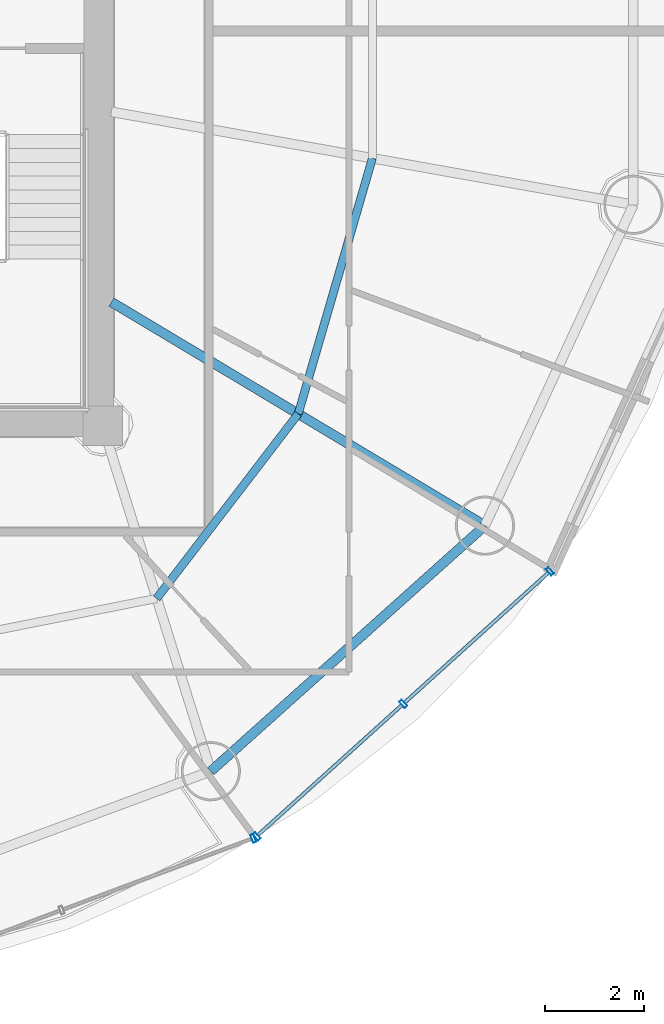
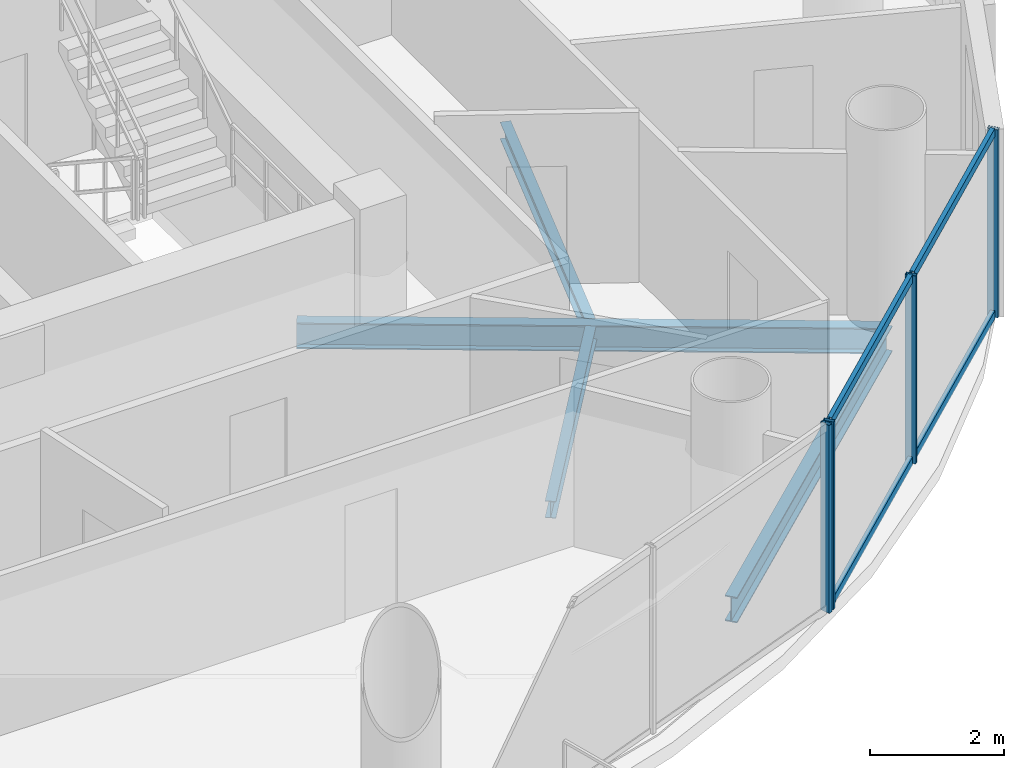
# One storey, part 10 of 26: 8 members, 4 beams, 2 elements without a shape of their own.
"""IFC4 building model written with IfcOpenShell, lengths in metres."""

import ifcopenshell
import ifcopenshell.guid

model = None  # the IFC model being written
_history = None  # IfcOwnerHistory: only IFC2X3 demands one
_inside = {}  # id of a spatial element -> (the spatial element, [elements in it])
_under = {}  # id of a project, library or spatial element -> (it, [spatial elements below it])
_declared = {}  # id of a project -> (the project, [libraries it declares])
_typed = {}  # id of a type object -> (the type object, [elements of that type])
_made_of = {}  # id of a material, layer set ... -> (it, [elements and type objects made of it])


def new_model(schema):
    """Start an empty IFC model of exactly this schema.

    Asked for "IFC4X3", IfcOpenShell would pick the latest addendum, in which some entities
    have other attributes; the version numbers below select the first issue.
    IFC2X3 requires an IfcOwnerHistory on every rooted entity: one is made here for all.
    """
    global model, _history
    if schema == "IFC4X3":
        model = ifcopenshell.file(schema_version=(4, 3, 0, 0))
    else:
        model = ifcopenshell.file(schema=schema)
    _inside.clear()
    _under.clear()
    _declared.clear()
    _typed.clear()
    _made_of.clear()
    _history = None
    if model.schema == "IFC2X3":
        org = make("IfcOrganization", Name="unknown")
        user = make(
            "IfcPersonAndOrganization",
            ThePerson=make("IfcPerson", FamilyName="unknown"),
            TheOrganization=org,
        )
        app = make(
            "IfcApplication",
            ApplicationDeveloper=org,
            Version="unknown",
            ApplicationFullName="unknown",
            ApplicationIdentifier="unknown",
        )
        _history = make(
            "IfcOwnerHistory",
            OwningUser=user,
            OwningApplication=app,
            ChangeAction="ADDED",
            CreationDate=0,
        )
    return model


def make(cls, **values):
    """One entity of the class cls with the attributes given. An attribute that is None is left unset."""
    return model.create_entity(
        cls, **{name: value for name, value in values.items() if value is not None}
    )


def rooted(cls, **values):
    """An entity with a GlobalId (a new one), such as an element, a storey or a relation."""
    return make(cls, GlobalId=ifcopenshell.guid.new(), OwnerHistory=_history, **values)


def si_unit(unit_type, name, prefix=None):
    """IfcSIUnit, for example si_unit("LENGTHUNIT", "METRE", prefix="MILLI")."""
    return make("IfcSIUnit", UnitType=unit_type, Prefix=prefix, Name=name)


def assignment(units):
    """IfcUnitAssignment: the units of a project."""
    return None if units is None else make("IfcUnitAssignment", Units=units)


def point(xyz):
    """IfcCartesianPoint."""
    return None if xyz is None else make("IfcCartesianPoint", Coordinates=xyz)


def direction(xyz):
    """IfcDirection."""
    return None if xyz is None else make("IfcDirection", DirectionRatios=xyz)


def frame(location, z_axis=None, x_axis=None):
    """IfcAxis2Placement3D, a coordinate frame: its origin and axes. An axis left out is left unset."""
    return make(
        "IfcAxis2Placement3D",
        Location=point(location),
        Axis=direction(z_axis),
        RefDirection=direction(x_axis),
    )


def frame_2d(location, x_axis=None):
    """IfcAxis2Placement2D, a coordinate frame in the plane: its origin and x axis."""
    return make(
        "IfcAxis2Placement2D", Location=point(location), RefDirection=direction(x_axis)
    )


def origin():
    """The frame at (0, 0, 0) with its axes left unset."""
    return frame((0.0, 0.0, 0.0))


def origin_2d():
    """The frame at (0, 0) in the plane with its x axis left unset."""
    return frame_2d((0.0, 0.0))


def place(relative_to, where):
    """IfcLocalPlacement: puts the frame where relative to a parent placement (None: the world)."""
    return make(
        "IfcLocalPlacement", PlacementRelTo=relative_to, RelativePlacement=where
    )


def context(
    kind, dimensions, precision=None, world=None, true_north=None, identifier=None
):
    """IfcGeometricRepresentationContext, for example the 3D "Model" context."""
    return make(
        "IfcGeometricRepresentationContext",
        ContextIdentifier=identifier,
        ContextType=kind,
        CoordinateSpaceDimension=dimensions,
        Precision=precision,
        WorldCoordinateSystem=world,
        TrueNorth=true_north,
    )


def subcontext(parent, identifier, kind, view, scale=None):
    """IfcGeometricRepresentationSubContext, for example "Body" below "Model"."""
    return make(
        "IfcGeometricRepresentationSubContext",
        ContextIdentifier=identifier,
        ContextType=kind,
        ParentContext=parent,
        TargetScale=scale,
        TargetView=view,
    )


def project(units=None, contexts=None):
    """IfcProject with its units and contexts."""
    return rooted(
        "IfcProject",
        Name="project",
        RepresentationContexts=contexts,
        UnitsInContext=assignment(units),
    )


def spatial(cls, under=None, at=None, **own):
    """A site, building, storey or space (cls), placed at a placement, below another one or the project."""
    s = rooted(cls, ObjectPlacement=at, **own)
    if under is not None:
        _under.setdefault(under.id(), (under, []))[1].append(s)
    return s


def profile(cls, at=None, kind="AREA", **sizes):
    """A parametric profile (cls). Its sizes go by their IFC names, for example OverallWidth=200.0."""
    return make(cls, ProfileType=kind, Position=at, **sizes)


def hollow_rectangle(**sizes):
    """IfcRectangleHollowProfileDef."""
    return profile("IfcRectangleHollowProfileDef", **sizes)


def i_section(**sizes):
    """IfcIShapeProfileDef."""
    return profile("IfcIShapeProfileDef", **sizes)


def extrude(swept, where, along, depth):
    """IfcExtrudedAreaSolid: the profile swept, set in the frame where, extruded along a direction by depth."""
    return make(
        "IfcExtrudedAreaSolid",
        SweptArea=swept,
        Position=where,
        ExtrudedDirection=direction(along),
        Depth=depth,
    )


def shape(context_of_items, identifier, shape_type, items):
    """IfcShapeRepresentation: the items that make up one representation, for example the "Body"."""
    return make(
        "IfcShapeRepresentation",
        ContextOfItems=context_of_items,
        RepresentationIdentifier=identifier,
        RepresentationType=shape_type,
        Items=items,
    )


def source(mapping_origin, context_of_items, identifier, shape_type, items):
    """IfcRepresentationMap: a shape defined once, which mapped items show again and again."""
    return make(
        "IfcRepresentationMap",
        MappingOrigin=mapping_origin,
        MappedRepresentation=shape(context_of_items, identifier, shape_type, items),
    )


def transform(
    local_origin,
    x_axis=None,
    y_axis=None,
    z_axis=None,
    scale=None,
    scale2=None,
    scale3=None,
    uniform=True,
):
    """IfcCartesianTransformationOperator3D, or its non-uniform kind. x_axis, y_axis, z_axis: its Axis1, 2, 3."""
    if uniform:
        return make(
            "IfcCartesianTransformationOperator3D",
            Axis1=direction(x_axis),
            Axis2=direction(y_axis),
            LocalOrigin=point(local_origin),
            Scale=scale,
            Axis3=direction(z_axis),
        )
    return make(
        "IfcCartesianTransformationOperator3DnonUniform",
        Axis1=direction(x_axis),
        Axis2=direction(y_axis),
        LocalOrigin=point(local_origin),
        Scale=scale,
        Axis3=direction(z_axis),
        Scale2=scale2,
        Scale3=scale3,
    )


def mapped(mapping_source, mapping_target):
    """IfcMappedItem: shows the shape of a source again, moved by a transform."""
    return make(
        "IfcMappedItem", MappingSource=mapping_source, MappingTarget=mapping_target
    )


def material(Name=None, Category=None):
    """IfcMaterial."""
    return make("IfcMaterial", Name=Name, Category=Category)


def material_profile(
    of_material, cross_section, Name=None, Category=None, Priority=None
):
    """IfcMaterialProfile: a cross section and its material."""
    return make(
        "IfcMaterialProfile",
        Name=Name,
        Material=of_material,
        Profile=cross_section,
        Priority=Priority,
        Category=Category,
    )


def profile_set(profiles, Name=None, composite=None):
    """IfcMaterialProfileSet."""
    return make(
        "IfcMaterialProfileSet",
        Name=Name,
        MaterialProfiles=profiles,
        CompositeProfile=composite,
    )


def made_of(thing, what):
    """Note that an element or type object is made of a material, layer set ...; save() writes the relation."""
    if what is not None:
        _made_of.setdefault(what.id(), (what, []))[1].append(thing)
    return thing


def type_object(cls, material=None, **own):
    """A type object (cls), such as IfcWallType, which elements share."""
    return made_of(rooted(cls, **own), material)


def element(
    cls,
    number,
    at=None,
    inside=None,
    cuts=None,
    type_object=None,
    material=None,
    context=None,
    identifier="Body",
    shape_type=None,
    held_by="IfcProductDefinitionShape",
    body=None,
    shapes=None,
    **own,
):
    """One element of the class cls, such as IfcWall. Its Tag is "e" and its number.

    at: its placement. inside: the storey or other place that contains it. cuts: it is an
    opening in that element (IfcRelVoidsElement). A single representation is given by context,
    identifier, shape_type and body (its items); several are given by shapes. held_by: the class
    of the entity that holds the representations. save() writes the other relations.
    """
    e = rooted(cls, Tag="e%d" % number, ObjectPlacement=at, **own)
    if body is not None:
        shapes = [shape(context, identifier, shape_type, body)]
    if shapes is not None:
        e.Representation = make(held_by, Representations=shapes)
    if inside is not None:
        _inside.setdefault(inside.id(), (inside, []))[1].append(e)
    if cuts is not None:
        rooted(
            "IfcRelVoidsElement", RelatingBuildingElement=cuts, RelatedOpeningElement=e
        )
    if type_object is not None:
        _typed.setdefault(type_object.id(), (type_object, []))[1].append(e)
    return made_of(e, material)


def aggregate(whole, parts):
    """IfcRelAggregates: a whole, such as a stair, and the parts it consists of."""
    return rooted("IfcRelAggregates", RelatingObject=whole, RelatedObjects=parts)


def save(model, path):
    """Write the relations noted so far, then the file.

    IfcRelAggregates (storeys below a building ...), IfcRelContainedInSpatialStructure (elements
    in a storey), IfcRelDefinesByType, IfcRelAssociatesMaterial and IfcRelDeclares: one each for
    every whole, place, type object, material and project.
    """
    for whole, parts in _under.values():
        aggregate(whole, parts)
    for where, things in _inside.values():
        rooted(
            "IfcRelContainedInSpatialStructure",
            RelatedElements=things,
            RelatingStructure=where,
        )
    for kind, things in _typed.values():
        rooted("IfcRelDefinesByType", RelatedObjects=things, RelatingType=kind)
    for what, things in _made_of.values():
        rooted("IfcRelAssociatesMaterial", RelatedObjects=things, RelatingMaterial=what)
    for by, libraries in _declared.values():
        rooted("IfcRelDeclares", RelatingContext=by, RelatedDefinitions=libraries)
    model.write(path)


model = new_model("IFC4")

# Units and contexts
model_context = context("Model", 3, precision=1e-05, world=origin(), true_north=direction((-0.2419218956, 0.970295726276)))
body_context = subcontext(model_context, "Body", "Model", "MODEL_VIEW")
ifc_project = project(units=[si_unit("LENGTHUNIT", "METRE"), si_unit("AREAUNIT", "SQUARE_METRE"), si_unit("VOLUMEUNIT", "CUBIC_METRE"), si_unit("PLANEANGLEUNIT", "RADIAN"), si_unit("MASSUNIT", "GRAM", prefix="KILO")], contexts=[model_context])

# Site, building, storey
site_placement = place(None, origin())
site = spatial("IfcSite", under=ifc_project, at=site_placement, CompositionType="ELEMENT")
building_placement = place(site_placement, origin())
building = spatial("IfcBuilding", under=site, at=building_placement, Name="Cobrevalo Terracotta Tower", CompositionType="ELEMENT")
storey_placement = place(building_placement, frame((0.0, 0.0, 220.800048828125)))
storey = spatial("IfcBuildingStorey", under=building, at=storey_placement, Name="L58", CompositionType="ELEMENT", Elevation=220.800048828125)

# Beams
ifc_material_1 = material(Name="Steel S355", Category="steel")
ifc_material_profile_1 = material_profile(ifc_material_1, i_section(OverallWidth=0.194091796875, OverallDepth=0.468994140625, WebThickness=0.011474609375, FlangeThickness=0.0205078125, at=origin_2d()), Name="W 460x106")
ifc_profile_set_1 = profile_set([ifc_material_profile_1], Name="Steel S355")
beam_type_1 = type_object("IfcBeamType", Name="Structural Beam W 460x106 (Steel S355)", PredefinedType="BEAM", material=ifc_profile_set_1)
beam_1_placement = place(storey_placement, frame((54.754150390625, 16.77197265625, -0.49951171875), z_axis=(-0.858046392192, 0.513572184651, 0.0), x_axis=(-0.513572184651, -0.858046392192, 0.0)))
element("IfcBeam", 1, at=beam_1_placement, inside=storey, type_object=beam_type_1, Name="L58 radial floor girder 15", PredefinedType="BEAM", context=body_context, shape_type="SweptSolid", body=[
    extrude(i_section(OverallWidth=0.194091796875, OverallDepth=0.468994140625, WebThickness=0.011474609375, FlangeThickness=0.0205078125, at=origin_2d()), origin(), (0.0, 0.0, 1.0), 8.827392578125),
])
ifc_material_profile_2 = material_profile(ifc_material_1, i_section(OverallWidth=0.1650390625, OverallDepth=0.31005859375, WebThickness=0.005859375, FlangeThickness=0.009765625, at=origin_2d()), Name="W 310x38.7")
ifc_profile_set_2 = profile_set([ifc_material_profile_2], Name="Steel S355")
beam_type_2 = type_object("IfcBeamType", Name="Structural Joist W 310x38.7 (Steel S355)", PredefinedType="JOIST", material=ifc_profile_set_2)
beam_2_placement = place(storey_placement, frame((48.097412109375, 15.2958984375, -0.420166015625), z_axis=(0.608464146296, 0.793581364872, 0.0), x_axis=(-0.793581364872, 0.608464146296, 0.0)))
element("IfcBeam", 2, at=beam_2_placement, inside=storey, type_object=beam_type_2, Name="L58 circumferential secondary floor joist 14", PredefinedType="JOIST", context=body_context, shape_type="SweptSolid", body=[
    extrude(i_section(OverallWidth=0.1650390625, OverallDepth=0.31005859375, WebThickness=0.005859375, FlangeThickness=0.009765625, at=origin_2d()), origin(), (0.0, 0.0, 1.0), 4.716064453125),
])
beam_3_placement = place(storey_placement, frame((50.967041015625, 19.03857421875, -0.420166015625), z_axis=(0.278757705995, 0.960361463902, 0.0), x_axis=(-0.960361463902, 0.278757705995, 0.0)))
element("IfcBeam", 3, at=beam_3_placement, inside=storey, type_object=beam_type_2, Name="L58 circumferential secondary floor joist 15", PredefinedType="JOIST", context=body_context, shape_type="SweptSolid", body=[
    extrude(i_section(OverallWidth=0.1650390625, OverallDepth=0.31005859375, WebThickness=0.005859375, FlangeThickness=0.009765625, at=origin_2d()), origin(), (0.0, 0.0, 1.0), 5.396728515625),
])
ifc_material_profile_3 = material_profile(ifc_material_1, i_section(OverallWidth=0.194091796875, OverallDepth=0.468994140625, WebThickness=0.011474609375, FlangeThickness=0.0205078125, at=origin_2d()), Name="W 460x106")
ifc_profile_set_3 = profile_set([ifc_material_profile_3], Name="Steel S355")
beam_type_3 = type_object("IfcBeamType", Name="Structural Spandrel W 460x106 (Steel S355)", PredefinedType="SPANDREL", material=ifc_profile_set_3)
beam_4_placement = place(storey_placement, frame((49.19482421875, 11.7919921875, -0.49951171875), z_axis=(0.744851930997, 0.667229796165, 0.0), x_axis=(-0.667229796165, 0.744851930997, 0.0)))
element("IfcBeam", 4, at=beam_4_placement, inside=storey, type_object=beam_type_3, Name="L58 perimeter ring spandrel 14", PredefinedType="SPANDREL", context=body_context, shape_type="SweptSolid", body=[
    extrude(i_section(OverallWidth=0.194091796875, OverallDepth=0.468994140625, WebThickness=0.011474609375, FlangeThickness=0.0205078125, at=origin_2d()), origin(), (0.0, 0.0, 1.0), 7.463623046875),
])

# Curtain wall, members
ifc_material_2 = material(Name="Anodized aluminium", Category="aluminium")
curtain_wall_type = type_object("IfcCurtainWallType", Name="Mid-tower high-wind unitised curtain wall CW-U2", PredefinedType="NOTDEFINED", material=ifc_material_2)
curtain_wall_1_placement = place(storey_placement, origin())
curtain_wall_1 = element("IfcCurtainWall", 5, at=curtain_wall_1_placement, inside=storey, type_object=curtain_wall_type, Name="L58 curtain wall CW-L58-S14", PredefinedType="NOTDEFINED")
ifc_material_profile_4 = material_profile(ifc_material_2, hollow_rectangle(XDim=0.074951171875, YDim=0.14990234375, WallThickness=0.00439453125, at=origin_2d()), Name="CWT 75x150")
ifc_profile_set_4 = profile_set([ifc_material_profile_4], Name="Anodized aluminium")
member_type_1 = type_object("IfcMemberType", Name="Tower unitised aluminium transom 75x150", PredefinedType="USERDEFINED", material=ifc_profile_set_4)
shared_shape_1 = source(origin(), body_context, "Body", "SweptSolid", [
    extrude(hollow_rectangle(XDim=0.074951171875, YDim=0.14990234375, WallThickness=0.00439453125, at=origin_2d()), origin(), (0.0, 0.0, 1.0), 3.927490234375),
])
member_1_placement = place(storey_placement, frame((53.127685546875, 13.185302734375, 0.050048828125), z_axis=(0.741975952623, 0.670426495396, 0.0), x_axis=(-0.670426495396, 0.741975952623, 0.0)))
member_1 = element("IfcMember", 6, at=member_1_placement, type_object=member_type_1, Name="CW-L58-S14 transom B02-T1", ObjectType="TRANSOM", PredefinedType="USERDEFINED", context=body_context, shape_type="MappedRepresentation", body=[
    mapped(shared_shape_1, transform((0.0, 0.0, 0.0), scale=1.0)),
])
member_2_placement = place(storey_placement, frame((53.127685546875, 13.185302734375, 3.385009765625), z_axis=(0.741975952623, 0.670426495396, 0.0), x_axis=(-0.670426495396, 0.741975952623, 0.0)))
member_2 = element("IfcMember", 7, at=member_2_placement, type_object=member_type_1, Name="CW-L58-S14 transom B02-T2", ObjectType="TRANSOM", PredefinedType="USERDEFINED", context=body_context, shape_type="MappedRepresentation", body=[
    mapped(shared_shape_1, transform((0.0, 0.0, 0.0), scale=1.0)),
])
shared_shape_2 = source(origin(), body_context, "Body", "SweptSolid", [
    extrude(hollow_rectangle(XDim=0.074951171875, YDim=0.14990234375, WallThickness=0.00439453125, at=origin_2d()), origin(), (0.0, 0.0, 1.0), 3.927734375),
])
member_3_placement = place(storey_placement, frame((50.154052734375, 10.49853515625, 0.050048828125), z_axis=(0.742003891138, 0.670395573923, 0.0), x_axis=(-0.670395573923, 0.742003891138, 0.0)))
member_3 = element("IfcMember", 8, at=member_3_placement, type_object=member_type_1, Name="CW-L58-S14 transom B01-T1", ObjectType="TRANSOM", PredefinedType="USERDEFINED", context=body_context, shape_type="MappedRepresentation", body=[
    mapped(shared_shape_2, transform((0.0, 0.0, 0.0), scale=1.0)),
])
member_4_placement = place(storey_placement, frame((50.154052734375, 10.49853515625, 3.385009765625), z_axis=(0.742003891138, 0.670395573923, 0.0), x_axis=(-0.670395573923, 0.742003891138, 0.0)))
member_4 = element("IfcMember", 9, at=member_4_placement, type_object=member_type_1, Name="CW-L58-S14 transom B01-T2", ObjectType="TRANSOM", PredefinedType="USERDEFINED", context=body_context, shape_type="MappedRepresentation", body=[
    mapped(shared_shape_2, transform((0.0, 0.0, 0.0), scale=1.0)),
])

# Curtain wall, member
curtain_wall_2_placement = place(storey_placement, origin())
curtain_wall_2 = element("IfcCurtainWall", 10, at=curtain_wall_2_placement, inside=storey, type_object=curtain_wall_type, Name="L58 curtain wall CW-L58-S13", PredefinedType="NOTDEFINED")
ifc_material_profile_5 = material_profile(ifc_material_2, hollow_rectangle(XDim=0.070068359375, YDim=0.169921875, WallThickness=0.00439453125, at=origin_2d()), Name="CWM 70x170")
ifc_profile_set_5 = profile_set([ifc_material_profile_5], Name="Anodized aluminium")
member_type_2 = type_object("IfcMemberType", Name="Upper tower unitised mullion 70x170", PredefinedType="MULLION", material=ifc_profile_set_5)
shared_shape_3 = source(origin(), body_context, "Body", "SweptSolid", [
    extrude(hollow_rectangle(XDim=0.070068359375, YDim=0.169921875, WallThickness=0.00439453125, at=origin_2d()), origin(), (0.0, 0.0, 1.0), 3.43505859375),
])
member_5_placement = place(storey_placement, frame((50.057373046875, 10.430908203125, 0.0), z_axis=(0.0, 0.0, 1.0), x_axis=(0.936556004584, 0.350517974259, 0.0)))
member_5 = element("IfcMember", 11, at=member_5_placement, type_object=member_type_2, Name="CW-L58-S13 vertical mullion 03", PredefinedType="MULLION", context=body_context, shape_type="MappedRepresentation", body=[
    mapped(shared_shape_3, transform((0.0, 0.0, 0.0), scale=1.0)),
])
aggregate(curtain_wall_2, [member_5])

# Member
member_6_placement = place(storey_placement, frame((50.12451171875, 10.471923828125, 0.0), z_axis=(0.0, 0.0, 1.0), x_axis=(0.741987542015, 0.670413668935, 0.0)))
member_6 = element("IfcMember", 12, at=member_6_placement, type_object=member_type_2, Name="CW-L58-S14 vertical mullion 01", PredefinedType="MULLION", context=body_context, shape_type="MappedRepresentation", body=[
    mapped(shared_shape_3, transform((0.0, 0.0, 0.0), scale=1.0)),
])

member_7_placement = place(storey_placement, frame((53.097900390625, 13.158447265625, 0.0), z_axis=(0.0, 0.0, 1.0), x_axis=(0.741987542015, 0.670413668935, 0.0)))
member_7 = element("IfcMember", 13, at=member_7_placement, type_object=member_type_2, Name="CW-L58-S14 vertical mullion 02", PredefinedType="MULLION", context=body_context, shape_type="MappedRepresentation", body=[
    mapped(shared_shape_3, transform((0.0, 0.0, 0.0), scale=1.0)),
])

member_8_placement = place(storey_placement, frame((56.071533203125, 15.84521484375, 0.0), z_axis=(0.0, 0.0, 1.0), x_axis=(0.741987542015, 0.670413668935, 0.0)))
member_8 = element("IfcMember", 14, at=member_8_placement, type_object=member_type_2, Name="CW-L58-S14 vertical mullion 03", PredefinedType="MULLION", context=body_context, shape_type="MappedRepresentation", body=[
    mapped(shared_shape_3, transform((0.0, 0.0, 0.0), scale=1.0)),
])

aggregate(curtain_wall_1, [member_6, member_7, member_8, member_3, member_4, member_1, member_2])

save(model, "model.ifc")
